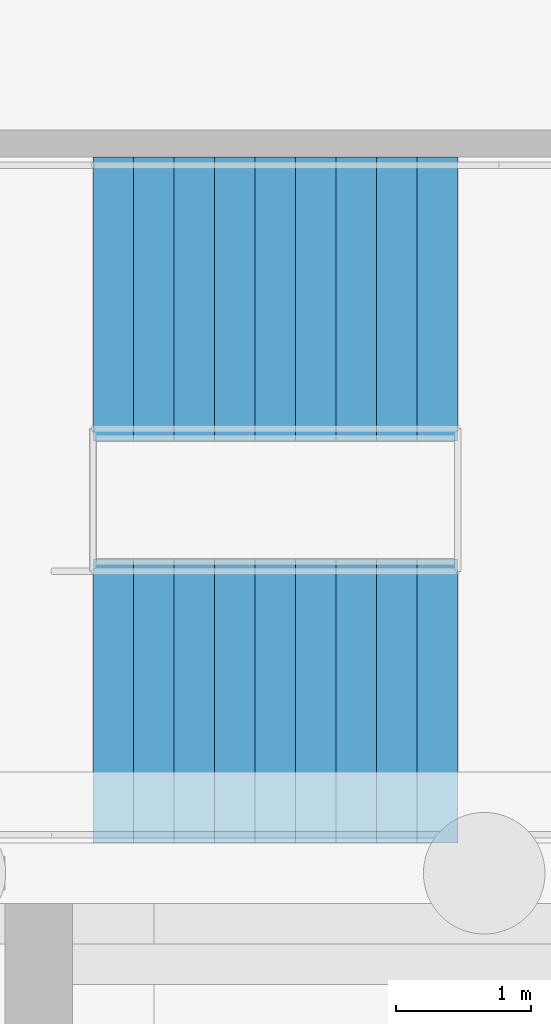
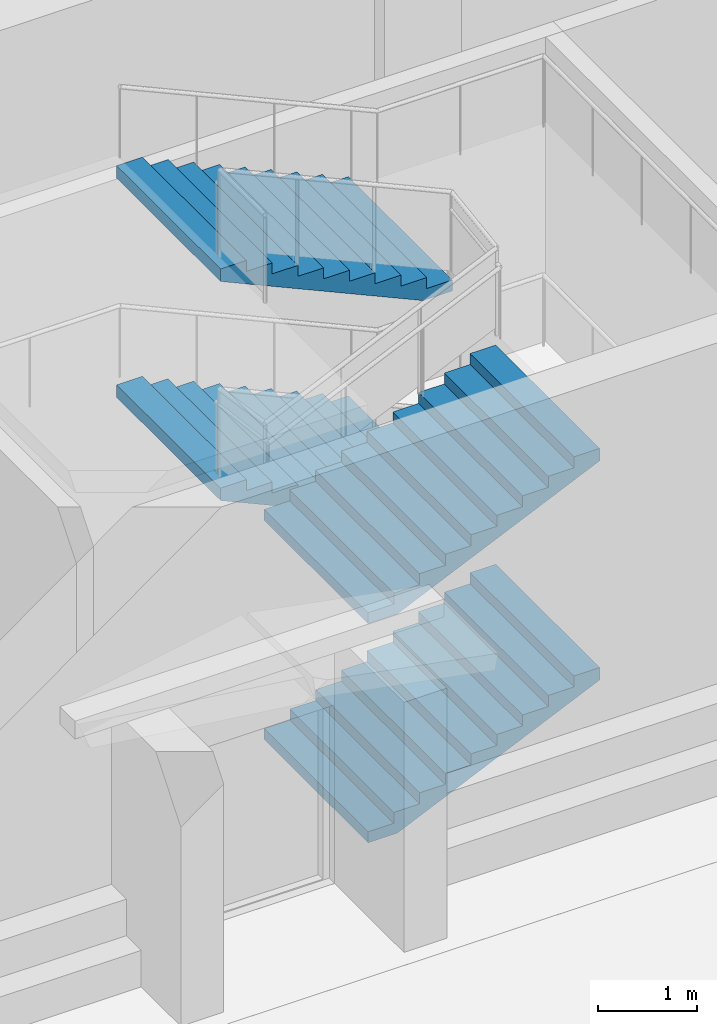
# One storey, part 49 of 74: 4 stair flights, 1 element without a shape of its own.
"""IFC4 building model written with IfcOpenShell, lengths in metres."""

from ifc_helpers import new_model, si_unit, direction, frame, origin, place, context, subcontext, project, spatial, faceted_brep, material, type_object, element, aggregate, save


model = new_model("IFC4")

# Units and contexts
model_context = context("Model", 3, precision=1e-05, world=origin(), true_north=direction((0.0, 1.0)))
body_context = subcontext(model_context, "Body", "Model", "MODEL_VIEW")
ifc_project = project(units=[si_unit("LENGTHUNIT", "METRE"), si_unit("AREAUNIT", "SQUARE_METRE"), si_unit("VOLUMEUNIT", "CUBIC_METRE"), si_unit("PLANEANGLEUNIT", "RADIAN"), si_unit("MASSUNIT", "GRAM", prefix="KILO")], contexts=[model_context])

# Site, building, storey
site_placement = place(None, origin())
site = spatial("IfcSite", under=ifc_project, at=site_placement, CompositionType="ELEMENT")
building_placement = place(site_placement, origin())
building = spatial("IfcBuilding", under=site, at=building_placement, Name="Rulbaag Community and Learning Centre", CompositionType="ELEMENT")
storey_placement = place(building_placement, origin())
storey = spatial("IfcBuildingStorey", under=building, at=storey_placement, Name="L00", CompositionType="ELEMENT", Elevation=0.0)

# Stair, stair flights
ifc_material = material(Name="Concrete M40", Category="concrete")
stair_type = type_object("IfcStairType", Name="ST-2100 STAIR 2100 WIDE", PredefinedType="HALF_TURN_STAIR", material=ifc_material)
stair_placement = place(storey_placement, origin())
stair = element("IfcStair", 1, at=stair_placement, inside=storey, type_object=stair_type, Name="Stair ST-H9 L00", PredefinedType="HALF_TURN_STAIR")
stair_flight_type = type_object("IfcStairFlightType", Name="FL-2100 FLIGHT 2100 WIDE Concrete M40", PredefinedType="STRAIGHT", material=ifc_material)
stair_flight_1_placement = place(storey_placement, frame((20.10009765625, 1.27490234375, 0.0), z_axis=(0.0, 0.0, 1.0), x_axis=(1.0, 0.0, 0.0)))
stair_flight_1 = element("IfcStairFlight", 2, at=stair_flight_1_placement, type_object=stair_flight_type, Name="ST-H9 flight 1", NumberOfRisers=10, NumberOfTreads=9, PredefinedType="STRAIGHT", RiserHeight=0.135, TreadLength=0.3, context=body_context, shape_type="Brep", body=[
    faceted_brep([(0.3408203125, -1.050048828125, 0.0), (2.699951171875, -1.050048828125, 1.0615234375), (2.699951171875, -1.050048828125, 1.215087890625), (2.39990234375, -1.050048828125, 1.215087890625), (2.39990234375, -1.050048828125, 1.080078125), (2.10009765625, -1.050048828125, 1.080078125), (2.10009765625, -1.050048828125, 0.945068359375), (1.800048828125, -1.050048828125, 0.945068359375), (1.800048828125, -1.050048828125, 0.81005859375), (1.5, -1.050048828125, 0.81005859375), (1.5, -1.050048828125, 0.675048828125), (1.199951171875, -1.050048828125, 0.675048828125), (1.199951171875, -1.050048828125, 0.5400390625), (0.89990234375, -1.050048828125, 0.5400390625), (0.89990234375, -1.050048828125, 0.405029296875), (0.60009765625, -1.050048828125, 0.405029296875), (0.60009765625, -1.050048828125, 0.27001953125), (0.300048828125, -1.050048828125, 0.27001953125), (0.300048828125, -1.050048828125, 0.135009765625), (0.0, -1.050048828125, 0.135009765625), (0.0, -1.050048828125, 0.0), (0.0, 1.050048828125, 0.0), (0.0, 1.050048828125, 0.135009765625), (0.300048828125, 1.050048828125, 0.135009765625), (0.300048828125, 1.050048828125, 0.27001953125), (0.60009765625, 1.050048828125, 0.27001953125), (0.60009765625, 1.050048828125, 0.405029296875), (0.89990234375, 1.050048828125, 0.405029296875), (0.89990234375, 1.050048828125, 0.5400390625), (1.199951171875, 1.050048828125, 0.5400390625), (1.199951171875, 1.050048828125, 0.675048828125), (1.5, 1.050048828125, 0.675048828125), (1.5, 1.050048828125, 0.81005859375), (1.800048828125, 1.050048828125, 0.81005859375), (1.800048828125, 1.050048828125, 0.945068359375), (2.10009765625, 1.050048828125, 0.945068359375), (2.10009765625, 1.050048828125, 1.080078125), (2.39990234375, 1.050048828125, 1.080078125), (2.39990234375, 1.050048828125, 1.215087890625), (2.699951171875, 1.050048828125, 1.215087890625), (2.699951171875, 1.050048828125, 1.0615234375), (0.3408203125, 1.050048828125, 0.0), (0.0, -0.52490234375, 0.135009765625), (0.0, -0.52490234375, 0.0), (0.0, 0.0, 0.135009765625), (0.0, 0.0, 0.0), (0.0, 0.52490234375, 0.135009765625), (0.0, 0.52490234375, 0.0), (0.300048828125, -0.52490234375, 0.135009765625), (0.300048828125, 0.0, 0.135009765625), (0.300048828125, 0.52490234375, 0.135009765625), (0.300048828125, -0.52490234375, 0.27001953125), (0.300048828125, 0.0, 0.27001953125), (0.300048828125, 0.52490234375, 0.27001953125), (0.60009765625, -0.52490234375, 0.27001953125), (0.60009765625, 0.0, 0.27001953125), (0.60009765625, 0.52490234375, 0.27001953125), (0.60009765625, -0.52490234375, 0.405029296875), (0.60009765625, 0.0, 0.405029296875), (0.60009765625, 0.52490234375, 0.405029296875), (0.89990234375, -0.52490234375, 0.405029296875), (0.89990234375, 0.0, 0.405029296875), (0.89990234375, 0.52490234375, 0.405029296875), (0.89990234375, -0.52490234375, 0.5400390625), (0.89990234375, 0.0, 0.5400390625), (0.89990234375, 0.52490234375, 0.5400390625), (1.199951171875, -0.52490234375, 0.5400390625), (1.199951171875, 0.0, 0.5400390625), (1.199951171875, 0.52490234375, 0.5400390625), (1.199951171875, -0.52490234375, 0.675048828125), (1.199951171875, 0.0, 0.675048828125), (1.199951171875, 0.52490234375, 0.675048828125), (1.5, -0.52490234375, 0.675048828125), (1.5, 0.0, 0.675048828125), (1.5, 0.52490234375, 0.675048828125), (1.5, -0.52490234375, 0.81005859375), (1.5, 0.0, 0.81005859375), (1.5, 0.52490234375, 0.81005859375), (1.800048828125, -0.52490234375, 0.81005859375), (1.800048828125, 0.0, 0.81005859375), (1.800048828125, 0.52490234375, 0.81005859375), (1.800048828125, -0.52490234375, 0.945068359375), (1.800048828125, 0.0, 0.945068359375), (1.800048828125, 0.52490234375, 0.945068359375), (2.10009765625, -0.52490234375, 0.945068359375), (2.10009765625, 0.0, 0.945068359375), (2.10009765625, 0.52490234375, 0.945068359375), (2.10009765625, -0.52490234375, 1.080078125), (2.10009765625, 0.0, 1.080078125), (2.10009765625, 0.52490234375, 1.080078125), (2.39990234375, -0.52490234375, 1.080078125), (2.39990234375, 0.0, 1.080078125), (2.39990234375, 0.52490234375, 1.080078125), (2.39990234375, -0.52490234375, 1.215087890625), (2.39990234375, 0.0, 1.215087890625), (2.39990234375, 0.52490234375, 1.215087890625), (2.699951171875, -0.52490234375, 1.215087890625), (2.699951171875, 0.0, 1.215087890625), (2.699951171875, 0.52490234375, 1.215087890625), (2.699951171875, -0.52490234375, 1.0615234375), (2.699951171875, 0.0, 1.0615234375), (2.699951171875, 0.52490234375, 1.0615234375), (0.3408203125, -0.52490234375, 0.0), (0.3408203125, 0.0, 0.0), (0.3408203125, 0.52490234375, 0.0)], [[[0, 1, 2, 3, 4, 5, 6, 7, 8, 9, 10, 11, 12, 13, 14, 15, 16, 17, 18, 19, 20]], [[21, 22, 23, 24, 25, 26, 27, 28, 29, 30, 31, 32, 33, 34, 35, 36, 37, 38, 39, 40, 41]], [[20, 19, 42, 43]], [[43, 42, 44, 45]], [[45, 44, 46, 47]], [[47, 46, 22, 21]], [[19, 18, 48, 42]], [[42, 48, 49, 44]], [[44, 49, 50, 46]], [[46, 50, 23, 22]], [[18, 17, 51, 48]], [[48, 51, 52, 49]], [[49, 52, 53, 50]], [[50, 53, 24, 23]], [[17, 16, 54, 51]], [[51, 54, 55, 52]], [[52, 55, 56, 53]], [[53, 56, 25, 24]], [[16, 15, 57, 54]], [[54, 57, 58, 55]], [[55, 58, 59, 56]], [[56, 59, 26, 25]], [[15, 14, 60, 57]], [[57, 60, 61, 58]], [[58, 61, 62, 59]], [[59, 62, 27, 26]], [[14, 13, 63, 60]], [[60, 63, 64, 61]], [[61, 64, 65, 62]], [[62, 65, 28, 27]], [[13, 12, 66, 63]], [[63, 66, 67, 64]], [[64, 67, 68, 65]], [[65, 68, 29, 28]], [[12, 11, 69, 66]], [[66, 69, 70, 67]], [[67, 70, 71, 68]], [[68, 71, 30, 29]], [[11, 10, 72, 69]], [[69, 72, 73, 70]], [[70, 73, 74, 71]], [[71, 74, 31, 30]], [[10, 9, 75, 72]], [[72, 75, 76, 73]], [[73, 76, 77, 74]], [[74, 77, 32, 31]], [[9, 8, 78, 75]], [[75, 78, 79, 76]], [[76, 79, 80, 77]], [[77, 80, 33, 32]], [[8, 7, 81, 78]], [[78, 81, 82, 79]], [[79, 82, 83, 80]], [[80, 83, 34, 33]], [[7, 6, 84, 81]], [[81, 84, 85, 82]], [[82, 85, 86, 83]], [[83, 86, 35, 34]], [[6, 5, 87, 84]], [[84, 87, 88, 85]], [[85, 88, 89, 86]], [[86, 89, 36, 35]], [[5, 4, 90, 87]], [[87, 90, 91, 88]], [[88, 91, 92, 89]], [[89, 92, 37, 36]], [[4, 3, 93, 90]], [[90, 93, 94, 91]], [[91, 94, 95, 92]], [[92, 95, 38, 37]], [[3, 2, 96, 93]], [[93, 96, 97, 94]], [[94, 97, 98, 95]], [[95, 98, 39, 38]], [[2, 1, 99, 96]], [[96, 99, 100, 97]], [[97, 100, 101, 98]], [[98, 101, 40, 39]], [[1, 0, 102, 99]], [[99, 102, 103, 100]], [[100, 103, 104, 101]], [[101, 104, 41, 40]], [[0, 20, 43, 102]], [[102, 43, 45, 103]], [[103, 45, 47, 104]], [[104, 47, 21, 41]]]),
])
stair_flight_2_placement = place(storey_placement, frame((22.800048828125, 4.25, 1.35009765625), z_axis=(0.0, 0.0, 1.0), x_axis=(-1.0, 0.0, 0.0)))
stair_flight_2 = element("IfcStairFlight", 3, at=stair_flight_2_placement, type_object=stair_flight_type, Name="ST-H9 flight 2", NumberOfRisers=10, NumberOfTreads=9, PredefinedType="STRAIGHT", RiserHeight=0.135, TreadLength=0.3, context=body_context, shape_type="Brep", body=[
    faceted_brep([(0.3408203125, -1.050048828125, 0.0), (2.699951171875, -1.050048828125, 1.0615234375), (2.699951171875, -1.050048828125, 1.215087890625), (2.39990234375, -1.050048828125, 1.215087890625), (2.39990234375, -1.050048828125, 1.080078125), (2.10009765625, -1.050048828125, 1.080078125), (2.10009765625, -1.050048828125, 0.945068359375), (1.800048828125, -1.050048828125, 0.945068359375), (1.800048828125, -1.050048828125, 0.81005859375), (1.5, -1.050048828125, 0.81005859375), (1.5, -1.050048828125, 0.675048828125), (1.199951171875, -1.050048828125, 0.675048828125), (1.199951171875, -1.050048828125, 0.5400390625), (0.89990234375, -1.050048828125, 0.5400390625), (0.89990234375, -1.050048828125, 0.405029296875), (0.60009765625, -1.050048828125, 0.405029296875), (0.60009765625, -1.050048828125, 0.27001953125), (0.300048828125, -1.050048828125, 0.27001953125), (0.300048828125, -1.050048828125, 0.135009765625), (0.0, -1.050048828125, 0.135009765625), (0.0, -1.050048828125, 0.0), (0.0, 1.050048828125, 0.0), (0.0, 1.050048828125, 0.135009765625), (0.300048828125, 1.050048828125, 0.135009765625), (0.300048828125, 1.050048828125, 0.27001953125), (0.60009765625, 1.050048828125, 0.27001953125), (0.60009765625, 1.050048828125, 0.405029296875), (0.89990234375, 1.050048828125, 0.405029296875), (0.89990234375, 1.050048828125, 0.5400390625), (1.199951171875, 1.050048828125, 0.5400390625), (1.199951171875, 1.050048828125, 0.675048828125), (1.5, 1.050048828125, 0.675048828125), (1.5, 1.050048828125, 0.81005859375), (1.800048828125, 1.050048828125, 0.81005859375), (1.800048828125, 1.050048828125, 0.945068359375), (2.10009765625, 1.050048828125, 0.945068359375), (2.10009765625, 1.050048828125, 1.080078125), (2.39990234375, 1.050048828125, 1.080078125), (2.39990234375, 1.050048828125, 1.215087890625), (2.699951171875, 1.050048828125, 1.215087890625), (2.699951171875, 1.050048828125, 1.0615234375), (0.3408203125, 1.050048828125, 0.0), (0.0, -0.52490234375, 0.135009765625), (0.0, -0.52490234375, 0.0), (0.0, 0.0, 0.135009765625), (0.0, 0.0, 0.0), (0.0, 0.52490234375, 0.135009765625), (0.0, 0.52490234375, 0.0), (0.300048828125, -0.52490234375, 0.135009765625), (0.300048828125, 0.0, 0.135009765625), (0.300048828125, 0.52490234375, 0.135009765625), (0.300048828125, -0.52490234375, 0.27001953125), (0.300048828125, 0.0, 0.27001953125), (0.300048828125, 0.52490234375, 0.27001953125), (0.60009765625, -0.52490234375, 0.27001953125), (0.60009765625, 0.0, 0.27001953125), (0.60009765625, 0.52490234375, 0.27001953125), (0.60009765625, -0.52490234375, 0.405029296875), (0.60009765625, 0.0, 0.405029296875), (0.60009765625, 0.52490234375, 0.405029296875), (0.89990234375, -0.52490234375, 0.405029296875), (0.89990234375, 0.0, 0.405029296875), (0.89990234375, 0.52490234375, 0.405029296875), (0.89990234375, -0.52490234375, 0.5400390625), (0.89990234375, 0.0, 0.5400390625), (0.89990234375, 0.52490234375, 0.5400390625), (1.199951171875, -0.52490234375, 0.5400390625), (1.199951171875, 0.0, 0.5400390625), (1.199951171875, 0.52490234375, 0.5400390625), (1.199951171875, -0.52490234375, 0.675048828125), (1.199951171875, 0.0, 0.675048828125), (1.199951171875, 0.52490234375, 0.675048828125), (1.5, -0.52490234375, 0.675048828125), (1.5, 0.0, 0.675048828125), (1.5, 0.52490234375, 0.675048828125), (1.5, -0.52490234375, 0.81005859375), (1.5, 0.0, 0.81005859375), (1.5, 0.52490234375, 0.81005859375), (1.800048828125, -0.52490234375, 0.81005859375), (1.800048828125, 0.0, 0.81005859375), (1.800048828125, 0.52490234375, 0.81005859375), (1.800048828125, -0.52490234375, 0.945068359375), (1.800048828125, 0.0, 0.945068359375), (1.800048828125, 0.52490234375, 0.945068359375), (2.10009765625, -0.52490234375, 0.945068359375), (2.10009765625, 0.0, 0.945068359375), (2.10009765625, 0.52490234375, 0.945068359375), (2.10009765625, -0.52490234375, 1.080078125), (2.10009765625, 0.0, 1.080078125), (2.10009765625, 0.52490234375, 1.080078125), (2.39990234375, -0.52490234375, 1.080078125), (2.39990234375, 0.0, 1.080078125), (2.39990234375, 0.52490234375, 1.080078125), (2.39990234375, -0.52490234375, 1.215087890625), (2.39990234375, 0.0, 1.215087890625), (2.39990234375, 0.52490234375, 1.215087890625), (2.699951171875, -0.52490234375, 1.215087890625), (2.699951171875, 0.0, 1.215087890625), (2.699951171875, 0.52490234375, 1.215087890625), (2.699951171875, -0.52490234375, 1.0615234375), (2.699951171875, 0.0, 1.0615234375), (2.699951171875, 0.52490234375, 1.0615234375), (0.3408203125, -0.52490234375, 0.0), (0.3408203125, 0.0, 0.0), (0.3408203125, 0.52490234375, 0.0)], [[[0, 1, 2, 3, 4, 5, 6, 7, 8, 9, 10, 11, 12, 13, 14, 15, 16, 17, 18, 19, 20]], [[21, 22, 23, 24, 25, 26, 27, 28, 29, 30, 31, 32, 33, 34, 35, 36, 37, 38, 39, 40, 41]], [[20, 19, 42, 43]], [[43, 42, 44, 45]], [[45, 44, 46, 47]], [[47, 46, 22, 21]], [[19, 18, 48, 42]], [[42, 48, 49, 44]], [[44, 49, 50, 46]], [[46, 50, 23, 22]], [[18, 17, 51, 48]], [[48, 51, 52, 49]], [[49, 52, 53, 50]], [[50, 53, 24, 23]], [[17, 16, 54, 51]], [[51, 54, 55, 52]], [[52, 55, 56, 53]], [[53, 56, 25, 24]], [[16, 15, 57, 54]], [[54, 57, 58, 55]], [[55, 58, 59, 56]], [[56, 59, 26, 25]], [[15, 14, 60, 57]], [[57, 60, 61, 58]], [[58, 61, 62, 59]], [[59, 62, 27, 26]], [[14, 13, 63, 60]], [[60, 63, 64, 61]], [[61, 64, 65, 62]], [[62, 65, 28, 27]], [[13, 12, 66, 63]], [[63, 66, 67, 64]], [[64, 67, 68, 65]], [[65, 68, 29, 28]], [[12, 11, 69, 66]], [[66, 69, 70, 67]], [[67, 70, 71, 68]], [[68, 71, 30, 29]], [[11, 10, 72, 69]], [[69, 72, 73, 70]], [[70, 73, 74, 71]], [[71, 74, 31, 30]], [[10, 9, 75, 72]], [[72, 75, 76, 73]], [[73, 76, 77, 74]], [[74, 77, 32, 31]], [[9, 8, 78, 75]], [[75, 78, 79, 76]], [[76, 79, 80, 77]], [[77, 80, 33, 32]], [[8, 7, 81, 78]], [[78, 81, 82, 79]], [[79, 82, 83, 80]], [[80, 83, 34, 33]], [[7, 6, 84, 81]], [[81, 84, 85, 82]], [[82, 85, 86, 83]], [[83, 86, 35, 34]], [[6, 5, 87, 84]], [[84, 87, 88, 85]], [[85, 88, 89, 86]], [[86, 89, 36, 35]], [[5, 4, 90, 87]], [[87, 90, 91, 88]], [[88, 91, 92, 89]], [[89, 92, 37, 36]], [[4, 3, 93, 90]], [[90, 93, 94, 91]], [[91, 94, 95, 92]], [[92, 95, 38, 37]], [[3, 2, 96, 93]], [[93, 96, 97, 94]], [[94, 97, 98, 95]], [[95, 98, 39, 38]], [[2, 1, 99, 96]], [[96, 99, 100, 97]], [[97, 100, 101, 98]], [[98, 101, 40, 39]], [[1, 0, 102, 99]], [[99, 102, 103, 100]], [[100, 103, 104, 101]], [[101, 104, 41, 40]], [[0, 20, 43, 102]], [[102, 43, 45, 103]], [[103, 45, 47, 104]], [[104, 47, 21, 41]]]),
])
stair_flight_3_placement = place(storey_placement, frame((20.10009765625, 1.27490234375, 2.699951171875), z_axis=(0.0, 0.0, 1.0), x_axis=(1.0, 0.0, 0.0)))
stair_flight_3 = element("IfcStairFlight", 4, at=stair_flight_3_placement, type_object=stair_flight_type, Name="ST-H9 flight 3", NumberOfRisers=10, NumberOfTreads=9, PredefinedType="STRAIGHT", RiserHeight=0.135, TreadLength=0.3, context=body_context, shape_type="Brep", body=[
    faceted_brep([(0.3408203125, -1.050048828125, 0.0), (2.699951171875, -1.050048828125, 1.0615234375), (2.699951171875, -1.050048828125, 1.215087890625), (2.39990234375, -1.050048828125, 1.215087890625), (2.39990234375, -1.050048828125, 1.080078125), (2.10009765625, -1.050048828125, 1.080078125), (2.10009765625, -1.050048828125, 0.945068359375), (1.800048828125, -1.050048828125, 0.945068359375), (1.800048828125, -1.050048828125, 0.81005859375), (1.5, -1.050048828125, 0.81005859375), (1.5, -1.050048828125, 0.675048828125), (1.199951171875, -1.050048828125, 0.675048828125), (1.199951171875, -1.050048828125, 0.5400390625), (0.89990234375, -1.050048828125, 0.5400390625), (0.89990234375, -1.050048828125, 0.405029296875), (0.60009765625, -1.050048828125, 0.405029296875), (0.60009765625, -1.050048828125, 0.27001953125), (0.300048828125, -1.050048828125, 0.27001953125), (0.300048828125, -1.050048828125, 0.135009765625), (0.0, -1.050048828125, 0.135009765625), (0.0, -1.050048828125, 0.0), (0.0, 1.050048828125, 0.0), (0.0, 1.050048828125, 0.135009765625), (0.300048828125, 1.050048828125, 0.135009765625), (0.300048828125, 1.050048828125, 0.27001953125), (0.60009765625, 1.050048828125, 0.27001953125), (0.60009765625, 1.050048828125, 0.405029296875), (0.89990234375, 1.050048828125, 0.405029296875), (0.89990234375, 1.050048828125, 0.5400390625), (1.199951171875, 1.050048828125, 0.5400390625), (1.199951171875, 1.050048828125, 0.675048828125), (1.5, 1.050048828125, 0.675048828125), (1.5, 1.050048828125, 0.81005859375), (1.800048828125, 1.050048828125, 0.81005859375), (1.800048828125, 1.050048828125, 0.945068359375), (2.10009765625, 1.050048828125, 0.945068359375), (2.10009765625, 1.050048828125, 1.080078125), (2.39990234375, 1.050048828125, 1.080078125), (2.39990234375, 1.050048828125, 1.215087890625), (2.699951171875, 1.050048828125, 1.215087890625), (2.699951171875, 1.050048828125, 1.0615234375), (0.3408203125, 1.050048828125, 0.0), (0.0, -0.52490234375, 0.135009765625), (0.0, -0.52490234375, 0.0), (0.0, 0.0, 0.135009765625), (0.0, 0.0, 0.0), (0.0, 0.52490234375, 0.135009765625), (0.0, 0.52490234375, 0.0), (0.300048828125, -0.52490234375, 0.135009765625), (0.300048828125, 0.0, 0.135009765625), (0.300048828125, 0.52490234375, 0.135009765625), (0.300048828125, -0.52490234375, 0.27001953125), (0.300048828125, 0.0, 0.27001953125), (0.300048828125, 0.52490234375, 0.27001953125), (0.60009765625, -0.52490234375, 0.27001953125), (0.60009765625, 0.0, 0.27001953125), (0.60009765625, 0.52490234375, 0.27001953125), (0.60009765625, -0.52490234375, 0.405029296875), (0.60009765625, 0.0, 0.405029296875), (0.60009765625, 0.52490234375, 0.405029296875), (0.89990234375, -0.52490234375, 0.405029296875), (0.89990234375, 0.0, 0.405029296875), (0.89990234375, 0.52490234375, 0.405029296875), (0.89990234375, -0.52490234375, 0.5400390625), (0.89990234375, 0.0, 0.5400390625), (0.89990234375, 0.52490234375, 0.5400390625), (1.199951171875, -0.52490234375, 0.5400390625), (1.199951171875, 0.0, 0.5400390625), (1.199951171875, 0.52490234375, 0.5400390625), (1.199951171875, -0.52490234375, 0.675048828125), (1.199951171875, 0.0, 0.675048828125), (1.199951171875, 0.52490234375, 0.675048828125), (1.5, -0.52490234375, 0.675048828125), (1.5, 0.0, 0.675048828125), (1.5, 0.52490234375, 0.675048828125), (1.5, -0.52490234375, 0.81005859375), (1.5, 0.0, 0.81005859375), (1.5, 0.52490234375, 0.81005859375), (1.800048828125, -0.52490234375, 0.81005859375), (1.800048828125, 0.0, 0.81005859375), (1.800048828125, 0.52490234375, 0.81005859375), (1.800048828125, -0.52490234375, 0.945068359375), (1.800048828125, 0.0, 0.945068359375), (1.800048828125, 0.52490234375, 0.945068359375), (2.10009765625, -0.52490234375, 0.945068359375), (2.10009765625, 0.0, 0.945068359375), (2.10009765625, 0.52490234375, 0.945068359375), (2.10009765625, -0.52490234375, 1.080078125), (2.10009765625, 0.0, 1.080078125), (2.10009765625, 0.52490234375, 1.080078125), (2.39990234375, -0.52490234375, 1.080078125), (2.39990234375, 0.0, 1.080078125), (2.39990234375, 0.52490234375, 1.080078125), (2.39990234375, -0.52490234375, 1.215087890625), (2.39990234375, 0.0, 1.215087890625), (2.39990234375, 0.52490234375, 1.215087890625), (2.699951171875, -0.52490234375, 1.215087890625), (2.699951171875, 0.0, 1.215087890625), (2.699951171875, 0.52490234375, 1.215087890625), (2.699951171875, -0.52490234375, 1.0615234375), (2.699951171875, 0.0, 1.0615234375), (2.699951171875, 0.52490234375, 1.0615234375), (0.3408203125, -0.52490234375, 0.0), (0.3408203125, 0.0, 0.0), (0.3408203125, 0.52490234375, 0.0)], [[[0, 1, 2, 3, 4, 5, 6, 7, 8, 9, 10, 11, 12, 13, 14, 15, 16, 17, 18, 19, 20]], [[21, 22, 23, 24, 25, 26, 27, 28, 29, 30, 31, 32, 33, 34, 35, 36, 37, 38, 39, 40, 41]], [[20, 19, 42, 43]], [[43, 42, 44, 45]], [[45, 44, 46, 47]], [[47, 46, 22, 21]], [[19, 18, 48, 42]], [[42, 48, 49, 44]], [[44, 49, 50, 46]], [[46, 50, 23, 22]], [[18, 17, 51, 48]], [[48, 51, 52, 49]], [[49, 52, 53, 50]], [[50, 53, 24, 23]], [[17, 16, 54, 51]], [[51, 54, 55, 52]], [[52, 55, 56, 53]], [[53, 56, 25, 24]], [[16, 15, 57, 54]], [[54, 57, 58, 55]], [[55, 58, 59, 56]], [[56, 59, 26, 25]], [[15, 14, 60, 57]], [[57, 60, 61, 58]], [[58, 61, 62, 59]], [[59, 62, 27, 26]], [[14, 13, 63, 60]], [[60, 63, 64, 61]], [[61, 64, 65, 62]], [[62, 65, 28, 27]], [[13, 12, 66, 63]], [[63, 66, 67, 64]], [[64, 67, 68, 65]], [[65, 68, 29, 28]], [[12, 11, 69, 66]], [[66, 69, 70, 67]], [[67, 70, 71, 68]], [[68, 71, 30, 29]], [[11, 10, 72, 69]], [[69, 72, 73, 70]], [[70, 73, 74, 71]], [[71, 74, 31, 30]], [[10, 9, 75, 72]], [[72, 75, 76, 73]], [[73, 76, 77, 74]], [[74, 77, 32, 31]], [[9, 8, 78, 75]], [[75, 78, 79, 76]], [[76, 79, 80, 77]], [[77, 80, 33, 32]], [[8, 7, 81, 78]], [[78, 81, 82, 79]], [[79, 82, 83, 80]], [[80, 83, 34, 33]], [[7, 6, 84, 81]], [[81, 84, 85, 82]], [[82, 85, 86, 83]], [[83, 86, 35, 34]], [[6, 5, 87, 84]], [[84, 87, 88, 85]], [[85, 88, 89, 86]], [[86, 89, 36, 35]], [[5, 4, 90, 87]], [[87, 90, 91, 88]], [[88, 91, 92, 89]], [[89, 92, 37, 36]], [[4, 3, 93, 90]], [[90, 93, 94, 91]], [[91, 94, 95, 92]], [[92, 95, 38, 37]], [[3, 2, 96, 93]], [[93, 96, 97, 94]], [[94, 97, 98, 95]], [[95, 98, 39, 38]], [[2, 1, 99, 96]], [[96, 99, 100, 97]], [[97, 100, 101, 98]], [[98, 101, 40, 39]], [[1, 0, 102, 99]], [[99, 102, 103, 100]], [[100, 103, 104, 101]], [[101, 104, 41, 40]], [[0, 20, 43, 102]], [[102, 43, 45, 103]], [[103, 45, 47, 104]], [[104, 47, 21, 41]]]),
])
stair_flight_4_placement = place(storey_placement, frame((22.800048828125, 4.25, 4.050048828125), z_axis=(0.0, 0.0, 1.0), x_axis=(-1.0, 0.0, 0.0)))
stair_flight_4 = element("IfcStairFlight", 5, at=stair_flight_4_placement, type_object=stair_flight_type, Name="ST-H9 flight 4", NumberOfRisers=10, NumberOfTreads=9, PredefinedType="STRAIGHT", RiserHeight=0.135, TreadLength=0.3, context=body_context, shape_type="Brep", body=[
    faceted_brep([(0.3408203125, -1.050048828125, 0.0), (2.699951171875, -1.050048828125, 1.0615234375), (2.699951171875, -1.050048828125, 1.215087890625), (2.39990234375, -1.050048828125, 1.215087890625), (2.39990234375, -1.050048828125, 1.080078125), (2.10009765625, -1.050048828125, 1.080078125), (2.10009765625, -1.050048828125, 0.945068359375), (1.800048828125, -1.050048828125, 0.945068359375), (1.800048828125, -1.050048828125, 0.81005859375), (1.5, -1.050048828125, 0.81005859375), (1.5, -1.050048828125, 0.675048828125), (1.199951171875, -1.050048828125, 0.675048828125), (1.199951171875, -1.050048828125, 0.5400390625), (0.89990234375, -1.050048828125, 0.5400390625), (0.89990234375, -1.050048828125, 0.405029296875), (0.60009765625, -1.050048828125, 0.405029296875), (0.60009765625, -1.050048828125, 0.27001953125), (0.300048828125, -1.050048828125, 0.27001953125), (0.300048828125, -1.050048828125, 0.135009765625), (0.0, -1.050048828125, 0.135009765625), (0.0, -1.050048828125, 0.0), (0.0, 1.050048828125, 0.0), (0.0, 1.050048828125, 0.135009765625), (0.300048828125, 1.050048828125, 0.135009765625), (0.300048828125, 1.050048828125, 0.27001953125), (0.60009765625, 1.050048828125, 0.27001953125), (0.60009765625, 1.050048828125, 0.405029296875), (0.89990234375, 1.050048828125, 0.405029296875), (0.89990234375, 1.050048828125, 0.5400390625), (1.199951171875, 1.050048828125, 0.5400390625), (1.199951171875, 1.050048828125, 0.675048828125), (1.5, 1.050048828125, 0.675048828125), (1.5, 1.050048828125, 0.81005859375), (1.800048828125, 1.050048828125, 0.81005859375), (1.800048828125, 1.050048828125, 0.945068359375), (2.10009765625, 1.050048828125, 0.945068359375), (2.10009765625, 1.050048828125, 1.080078125), (2.39990234375, 1.050048828125, 1.080078125), (2.39990234375, 1.050048828125, 1.215087890625), (2.699951171875, 1.050048828125, 1.215087890625), (2.699951171875, 1.050048828125, 1.0615234375), (0.3408203125, 1.050048828125, 0.0), (0.0, -0.52490234375, 0.135009765625), (0.0, -0.52490234375, 0.0), (0.0, 0.0, 0.135009765625), (0.0, 0.0, 0.0), (0.0, 0.52490234375, 0.135009765625), (0.0, 0.52490234375, 0.0), (0.300048828125, -0.52490234375, 0.135009765625), (0.300048828125, 0.0, 0.135009765625), (0.300048828125, 0.52490234375, 0.135009765625), (0.300048828125, -0.52490234375, 0.27001953125), (0.300048828125, 0.0, 0.27001953125), (0.300048828125, 0.52490234375, 0.27001953125), (0.60009765625, -0.52490234375, 0.27001953125), (0.60009765625, 0.0, 0.27001953125), (0.60009765625, 0.52490234375, 0.27001953125), (0.60009765625, -0.52490234375, 0.405029296875), (0.60009765625, 0.0, 0.405029296875), (0.60009765625, 0.52490234375, 0.405029296875), (0.89990234375, -0.52490234375, 0.405029296875), (0.89990234375, 0.0, 0.405029296875), (0.89990234375, 0.52490234375, 0.405029296875), (0.89990234375, -0.52490234375, 0.5400390625), (0.89990234375, 0.0, 0.5400390625), (0.89990234375, 0.52490234375, 0.5400390625), (1.199951171875, -0.52490234375, 0.5400390625), (1.199951171875, 0.0, 0.5400390625), (1.199951171875, 0.52490234375, 0.5400390625), (1.199951171875, -0.52490234375, 0.675048828125), (1.199951171875, 0.0, 0.675048828125), (1.199951171875, 0.52490234375, 0.675048828125), (1.5, -0.52490234375, 0.675048828125), (1.5, 0.0, 0.675048828125), (1.5, 0.52490234375, 0.675048828125), (1.5, -0.52490234375, 0.81005859375), (1.5, 0.0, 0.81005859375), (1.5, 0.52490234375, 0.81005859375), (1.800048828125, -0.52490234375, 0.81005859375), (1.800048828125, 0.0, 0.81005859375), (1.800048828125, 0.52490234375, 0.81005859375), (1.800048828125, -0.52490234375, 0.945068359375), (1.800048828125, 0.0, 0.945068359375), (1.800048828125, 0.52490234375, 0.945068359375), (2.10009765625, -0.52490234375, 0.945068359375), (2.10009765625, 0.0, 0.945068359375), (2.10009765625, 0.52490234375, 0.945068359375), (2.10009765625, -0.52490234375, 1.080078125), (2.10009765625, 0.0, 1.080078125), (2.10009765625, 0.52490234375, 1.080078125), (2.39990234375, -0.52490234375, 1.080078125), (2.39990234375, 0.0, 1.080078125), (2.39990234375, 0.52490234375, 1.080078125), (2.39990234375, -0.52490234375, 1.215087890625), (2.39990234375, 0.0, 1.215087890625), (2.39990234375, 0.52490234375, 1.215087890625), (2.699951171875, -0.52490234375, 1.215087890625), (2.699951171875, 0.0, 1.215087890625), (2.699951171875, 0.52490234375, 1.215087890625), (2.699951171875, -0.52490234375, 1.0615234375), (2.699951171875, 0.0, 1.0615234375), (2.699951171875, 0.52490234375, 1.0615234375), (0.3408203125, -0.52490234375, 0.0), (0.3408203125, 0.0, 0.0), (0.3408203125, 0.52490234375, 0.0)], [[[0, 1, 2, 3, 4, 5, 6, 7, 8, 9, 10, 11, 12, 13, 14, 15, 16, 17, 18, 19, 20]], [[21, 22, 23, 24, 25, 26, 27, 28, 29, 30, 31, 32, 33, 34, 35, 36, 37, 38, 39, 40, 41]], [[20, 19, 42, 43]], [[43, 42, 44, 45]], [[45, 44, 46, 47]], [[47, 46, 22, 21]], [[19, 18, 48, 42]], [[42, 48, 49, 44]], [[44, 49, 50, 46]], [[46, 50, 23, 22]], [[18, 17, 51, 48]], [[48, 51, 52, 49]], [[49, 52, 53, 50]], [[50, 53, 24, 23]], [[17, 16, 54, 51]], [[51, 54, 55, 52]], [[52, 55, 56, 53]], [[53, 56, 25, 24]], [[16, 15, 57, 54]], [[54, 57, 58, 55]], [[55, 58, 59, 56]], [[56, 59, 26, 25]], [[15, 14, 60, 57]], [[57, 60, 61, 58]], [[58, 61, 62, 59]], [[59, 62, 27, 26]], [[14, 13, 63, 60]], [[60, 63, 64, 61]], [[61, 64, 65, 62]], [[62, 65, 28, 27]], [[13, 12, 66, 63]], [[63, 66, 67, 64]], [[64, 67, 68, 65]], [[65, 68, 29, 28]], [[12, 11, 69, 66]], [[66, 69, 70, 67]], [[67, 70, 71, 68]], [[68, 71, 30, 29]], [[11, 10, 72, 69]], [[69, 72, 73, 70]], [[70, 73, 74, 71]], [[71, 74, 31, 30]], [[10, 9, 75, 72]], [[72, 75, 76, 73]], [[73, 76, 77, 74]], [[74, 77, 32, 31]], [[9, 8, 78, 75]], [[75, 78, 79, 76]], [[76, 79, 80, 77]], [[77, 80, 33, 32]], [[8, 7, 81, 78]], [[78, 81, 82, 79]], [[79, 82, 83, 80]], [[80, 83, 34, 33]], [[7, 6, 84, 81]], [[81, 84, 85, 82]], [[82, 85, 86, 83]], [[83, 86, 35, 34]], [[6, 5, 87, 84]], [[84, 87, 88, 85]], [[85, 88, 89, 86]], [[86, 89, 36, 35]], [[5, 4, 90, 87]], [[87, 90, 91, 88]], [[88, 91, 92, 89]], [[89, 92, 37, 36]], [[4, 3, 93, 90]], [[90, 93, 94, 91]], [[91, 94, 95, 92]], [[92, 95, 38, 37]], [[3, 2, 96, 93]], [[93, 96, 97, 94]], [[94, 97, 98, 95]], [[95, 98, 39, 38]], [[2, 1, 99, 96]], [[96, 99, 100, 97]], [[97, 100, 101, 98]], [[98, 101, 40, 39]], [[1, 0, 102, 99]], [[99, 102, 103, 100]], [[100, 103, 104, 101]], [[101, 104, 41, 40]], [[0, 20, 43, 102]], [[102, 43, 45, 103]], [[103, 45, 47, 104]], [[104, 47, 21, 41]]]),
])
aggregate(stair, [stair_flight_1, stair_flight_2, stair_flight_3, stair_flight_4])

save(model, "model.ifc")
